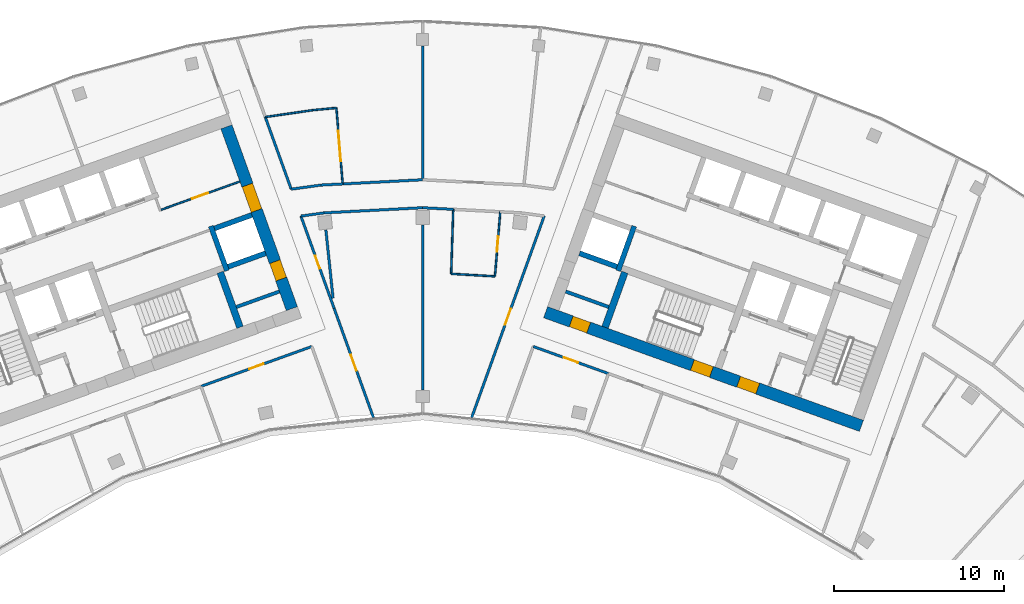
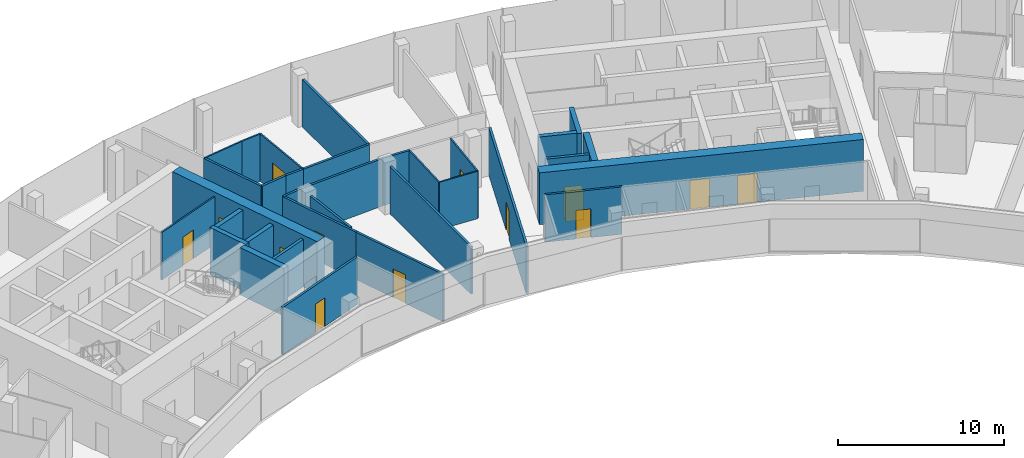
# One storey, part 14 of 18: 33 walls, 13 doors, 13 openings.
"""IFC4 building model written with IfcOpenShell, lengths in metres."""

import ifcopenshell
import ifcopenshell.guid

model = None  # the IFC model being written
_history = None  # IfcOwnerHistory: only IFC2X3 demands one
_inside = {}  # id of a spatial element -> (the spatial element, [elements in it])
_under = {}  # id of a project, library or spatial element -> (it, [spatial elements below it])
_declared = {}  # id of a project -> (the project, [libraries it declares])
_typed = {}  # id of a type object -> (the type object, [elements of that type])
_made_of = {}  # id of a material, layer set ... -> (it, [elements and type objects made of it])


def new_model(schema):
    """Start an empty IFC model of exactly this schema.

    Asked for "IFC4X3", IfcOpenShell would pick the latest addendum, in which some entities
    have other attributes; the version numbers below select the first issue.
    IFC2X3 requires an IfcOwnerHistory on every rooted entity: one is made here for all.
    """
    global model, _history
    if schema == "IFC4X3":
        model = ifcopenshell.file(schema_version=(4, 3, 0, 0))
    else:
        model = ifcopenshell.file(schema=schema)
    _inside.clear()
    _under.clear()
    _declared.clear()
    _typed.clear()
    _made_of.clear()
    _history = None
    if model.schema == "IFC2X3":
        org = make("IfcOrganization", Name="unknown")
        user = make(
            "IfcPersonAndOrganization",
            ThePerson=make("IfcPerson", FamilyName="unknown"),
            TheOrganization=org,
        )
        app = make(
            "IfcApplication",
            ApplicationDeveloper=org,
            Version="unknown",
            ApplicationFullName="unknown",
            ApplicationIdentifier="unknown",
        )
        _history = make(
            "IfcOwnerHistory",
            OwningUser=user,
            OwningApplication=app,
            ChangeAction="ADDED",
            CreationDate=0,
        )
    return model


def make(cls, **values):
    """One entity of the class cls with the attributes given. An attribute that is None is left unset."""
    return model.create_entity(
        cls, **{name: value for name, value in values.items() if value is not None}
    )


def rooted(cls, **values):
    """An entity with a GlobalId (a new one), such as an element, a storey or a relation."""
    return make(cls, GlobalId=ifcopenshell.guid.new(), OwnerHistory=_history, **values)


def si_unit(unit_type, name, prefix=None):
    """IfcSIUnit, for example si_unit("LENGTHUNIT", "METRE", prefix="MILLI")."""
    return make("IfcSIUnit", UnitType=unit_type, Prefix=prefix, Name=name)


def assignment(units):
    """IfcUnitAssignment: the units of a project."""
    return None if units is None else make("IfcUnitAssignment", Units=units)


def point(xyz):
    """IfcCartesianPoint."""
    return None if xyz is None else make("IfcCartesianPoint", Coordinates=xyz)


def direction(xyz):
    """IfcDirection."""
    return None if xyz is None else make("IfcDirection", DirectionRatios=xyz)


def frame(location, z_axis=None, x_axis=None):
    """IfcAxis2Placement3D, a coordinate frame: its origin and axes. An axis left out is left unset."""
    return make(
        "IfcAxis2Placement3D",
        Location=point(location),
        Axis=direction(z_axis),
        RefDirection=direction(x_axis),
    )


def frame_2d(location, x_axis=None):
    """IfcAxis2Placement2D, a coordinate frame in the plane: its origin and x axis."""
    return make(
        "IfcAxis2Placement2D", Location=point(location), RefDirection=direction(x_axis)
    )


def origin():
    """The frame at (0, 0, 0) with its axes left unset."""
    return frame((0.0, 0.0, 0.0))


def place(relative_to, where):
    """IfcLocalPlacement: puts the frame where relative to a parent placement (None: the world)."""
    return make(
        "IfcLocalPlacement", PlacementRelTo=relative_to, RelativePlacement=where
    )


def context(
    kind, dimensions, precision=None, world=None, true_north=None, identifier=None
):
    """IfcGeometricRepresentationContext, for example the 3D "Model" context."""
    return make(
        "IfcGeometricRepresentationContext",
        ContextIdentifier=identifier,
        ContextType=kind,
        CoordinateSpaceDimension=dimensions,
        Precision=precision,
        WorldCoordinateSystem=world,
        TrueNorth=true_north,
    )


def subcontext(parent, identifier, kind, view, scale=None):
    """IfcGeometricRepresentationSubContext, for example "Body" below "Model"."""
    return make(
        "IfcGeometricRepresentationSubContext",
        ContextIdentifier=identifier,
        ContextType=kind,
        ParentContext=parent,
        TargetScale=scale,
        TargetView=view,
    )


def project(units=None, contexts=None):
    """IfcProject with its units and contexts."""
    return rooted(
        "IfcProject",
        Name="project",
        RepresentationContexts=contexts,
        UnitsInContext=assignment(units),
    )


def spatial(cls, under=None, at=None, **own):
    """A site, building, storey or space (cls), placed at a placement, below another one or the project."""
    s = rooted(cls, ObjectPlacement=at, **own)
    if under is not None:
        _under.setdefault(under.id(), (under, []))[1].append(s)
    return s


def profile(cls, at=None, kind="AREA", **sizes):
    """A parametric profile (cls). Its sizes go by their IFC names, for example OverallWidth=200.0."""
    return make(cls, ProfileType=kind, Position=at, **sizes)


def rectangle(**sizes):
    """IfcRectangleProfileDef."""
    return profile("IfcRectangleProfileDef", **sizes)


def extrude(swept, where, along, depth):
    """IfcExtrudedAreaSolid: the profile swept, set in the frame where, extruded along a direction by depth."""
    return make(
        "IfcExtrudedAreaSolid",
        SweptArea=swept,
        Position=where,
        ExtrudedDirection=direction(along),
        Depth=depth,
    )


def shape(context_of_items, identifier, shape_type, items):
    """IfcShapeRepresentation: the items that make up one representation, for example the "Body"."""
    return make(
        "IfcShapeRepresentation",
        ContextOfItems=context_of_items,
        RepresentationIdentifier=identifier,
        RepresentationType=shape_type,
        Items=items,
    )


def material(Name=None, Category=None):
    """IfcMaterial."""
    return make("IfcMaterial", Name=Name, Category=Category)


def layer(
    of_material, thickness, ventilated=None, Name=None, Category=None, Priority=None
):
    """IfcMaterialLayer: one layer of a wall or slab, of a material (None: an air gap)."""
    return make(
        "IfcMaterialLayer",
        Material=of_material,
        LayerThickness=thickness,
        IsVentilated=ventilated,
        Name=Name,
        Category=Category,
        Priority=Priority,
    )


def layer_set(layers, Name=None):
    """IfcMaterialLayerSet."""
    return make("IfcMaterialLayerSet", MaterialLayers=layers, LayerSetName=Name)


def made_of(thing, what):
    """Note that an element or type object is made of a material, layer set ...; save() writes the relation."""
    if what is not None:
        _made_of.setdefault(what.id(), (what, []))[1].append(thing)
    return thing


def type_object(cls, material=None, **own):
    """A type object (cls), such as IfcWallType, which elements share."""
    return made_of(rooted(cls, **own), material)


def element(
    cls,
    number,
    at=None,
    inside=None,
    cuts=None,
    type_object=None,
    material=None,
    context=None,
    identifier="Body",
    shape_type=None,
    held_by="IfcProductDefinitionShape",
    body=None,
    shapes=None,
    **own,
):
    """One element of the class cls, such as IfcWall. Its Tag is "e" and its number.

    at: its placement. inside: the storey or other place that contains it. cuts: it is an
    opening in that element (IfcRelVoidsElement). A single representation is given by context,
    identifier, shape_type and body (its items); several are given by shapes. held_by: the class
    of the entity that holds the representations. save() writes the other relations.
    """
    e = rooted(cls, Tag="e%d" % number, ObjectPlacement=at, **own)
    if body is not None:
        shapes = [shape(context, identifier, shape_type, body)]
    if shapes is not None:
        e.Representation = make(held_by, Representations=shapes)
    if inside is not None:
        _inside.setdefault(inside.id(), (inside, []))[1].append(e)
    if cuts is not None:
        rooted(
            "IfcRelVoidsElement", RelatingBuildingElement=cuts, RelatedOpeningElement=e
        )
    if type_object is not None:
        _typed.setdefault(type_object.id(), (type_object, []))[1].append(e)
    return made_of(e, material)


def fill(opening, filler):
    """IfcRelFillsElement: the door or window that sits in an opening."""
    return rooted(
        "IfcRelFillsElement",
        RelatingOpeningElement=opening,
        RelatedBuildingElement=filler,
    )


def aggregate(whole, parts):
    """IfcRelAggregates: a whole, such as a stair, and the parts it consists of."""
    return rooted("IfcRelAggregates", RelatingObject=whole, RelatedObjects=parts)


def save(model, path):
    """Write the relations noted so far, then the file.

    IfcRelAggregates (storeys below a building ...), IfcRelContainedInSpatialStructure (elements
    in a storey), IfcRelDefinesByType, IfcRelAssociatesMaterial and IfcRelDeclares: one each for
    every whole, place, type object, material and project.
    """
    for whole, parts in _under.values():
        aggregate(whole, parts)
    for where, things in _inside.values():
        rooted(
            "IfcRelContainedInSpatialStructure",
            RelatedElements=things,
            RelatingStructure=where,
        )
    for kind, things in _typed.values():
        rooted("IfcRelDefinesByType", RelatedObjects=things, RelatingType=kind)
    for what, things in _made_of.values():
        rooted("IfcRelAssociatesMaterial", RelatedObjects=things, RelatingMaterial=what)
    for by, libraries in _declared.values():
        rooted("IfcRelDeclares", RelatingContext=by, RelatedDefinitions=libraries)
    model.write(path)


model = new_model("IFC4")

# Units and contexts
model_context = context("Model", 3, precision=1e-05, world=origin(), true_north=direction((0.0, 1.0)))
body_context = subcontext(model_context, "Body", "Model", "MODEL_VIEW")
ifc_project = project(units=[si_unit("LENGTHUNIT", "METRE"), si_unit("AREAUNIT", "SQUARE_METRE"), si_unit("VOLUMEUNIT", "CUBIC_METRE"), si_unit("PLANEANGLEUNIT", "RADIAN"), si_unit("MASSUNIT", "GRAM", prefix="KILO")], contexts=[model_context])

# Site, building, storey
site_placement = place(None, origin())
site = spatial("IfcSite", under=ifc_project, at=site_placement, CompositionType="ELEMENT")
building_placement = place(site_placement, origin())
building = spatial("IfcBuilding", under=site, at=building_placement, Name="Stone Belt Terrace Tower", CompositionType="ELEMENT")
storey_placement = place(building_placement, frame((0.0, 0.0, 299.800048828125)))
storey = spatial("IfcBuildingStorey", under=building, at=storey_placement, Name="L73", CompositionType="ELEMENT", Elevation=299.800048828125)

# Wall, opening, door
ifc_material_1 = material(Name="Plasterboard partition")
ifc_layer_1 = layer(ifc_material_1, 0.10009765625)
ifc_layer_set_1 = layer_set([ifc_layer_1], Name="Core partition 100")
wall_type_1 = type_object("IfcWallType", Name="Core partition 100", PredefinedType="PARTITIONING", material=ifc_layer_set_1)
wall_1_placement = place(storey_placement, frame((-15.43798828125, 55.447998046875, 0.0), z_axis=(0.0, 0.0, 1.0), x_axis=(0.940914445113, 0.338644366522, 0.0)))
wall_1 = element("IfcWall", 1, at=wall_1_placement, inside=storey, type_object=wall_type_1, Name="Core A wall", PredefinedType="PARTITIONING", context=body_context, shape_type="SweptSolid", body=[
    extrude(rectangle(XDim=4.949951171875, YDim=0.10009765625, at=frame_2d((2.47509765625, 0.0))), origin(), (0.0, 0.0, 1.0), 3.47998046875),
])
opening_1_placement = place(wall_1_placement, frame((1.949951171875, 0.0, 0.0)))
opening_1 = element("IfcOpeningElement", 2, at=opening_1_placement, cuts=wall_1, Name="Opening L73-C01", PredefinedType="OPENING", context=body_context, shape_type="SweptSolid", body=[
    extrude(rectangle(XDim=1.0, YDim=2.10009765625, at=frame_2d((0.5, 1.050048828125))), frame((0.0, 0.06005859375, 0.0), z_axis=(0.0, -1.0, 0.0), x_axis=(1.0, 0.0, 0.0)), (0.0, 0.0, 1.0), 0.1201171875),
])
ifc_material_2 = material(Name="Timber door leaf", Category="wood")
door_type_1 = type_object("IfcDoorType", Name="Core room door 1000", OperationType="SINGLE_SWING_LEFT", PredefinedType="DOOR", material=ifc_material_2)
door_1_placement = place(opening_1_placement, origin())
door_1 = element("IfcDoor", 3, at=door_1_placement, inside=storey, type_object=door_type_1, Name="Door to Plant room core A", OperationType="SINGLE_SWING_LEFT", OverallHeight=2.10009765625, OverallWidth=1.0, PredefinedType="DOOR", context=body_context, shape_type="SweptSolid", body=[
    extrude(rectangle(XDim=1.0, YDim=2.10009765625, at=frame_2d((0.5, 1.050048828125))), frame((0.0, 0.02490234375, 0.0), z_axis=(0.0, -1.0, 0.0), x_axis=(1.0, 0.0, 0.0)), (0.0, 0.0, 1.0), 0.050048828125),
])
fill(opening_1, door_1)

# Wall, openings, doors
ifc_material_3 = material(Name="Concrete B60", Category="concrete")
ifc_layer_2 = layer(ifc_material_3, 0.699951171875)
ifc_layer_set_2 = layer_set([ifc_layer_2], Name="Core wall 700 B60")
wall_type_2 = type_object("IfcWallType", Name="Core wall 700 B60", PredefinedType="SHEAR", material=ifc_layer_set_2)
wall_2_placement = place(storey_placement, frame((-7.70849609375, 49.621337890625, 0.0), z_axis=(0.0, 0.0, 1.0), x_axis=(-0.338606471282, 0.940928083121, 0.0)))
wall_2 = element("IfcWall", 4, at=wall_2_placement, inside=storey, type_object=wall_type_2, Name="Core A wall end_b L73", PredefinedType="SHEAR", context=body_context, shape_type="SweptSolid", body=[
    extrude(rectangle(XDim=11.39990234375, YDim=0.699951171875, at=frame_2d((5.699951171875, 0.0))), origin(), (0.0, 0.0, 1.0), 3.800048828125),
])
opening_2_placement = place(wall_2_placement, frame((6.14990234375, 0.0, 0.0)))
opening_2 = element("IfcOpeningElement", 5, at=opening_2_placement, cuts=wall_2, Name="Opening L73-C04", PredefinedType="OPENING", context=body_context, shape_type="SweptSolid", body=[
    extrude(rectangle(XDim=1.60009765625, YDim=2.10009765625, at=frame_2d((0.800048828125, 1.050048828125))), frame((0.0, 0.35986328125, 0.0), z_axis=(0.0, -1.0, 0.0), x_axis=(1.0, 0.0, 0.0)), (0.0, 0.0, 1.0), 0.719970703125),
])
opening_3_placement = place(wall_2_placement, frame((1.85009765625, 0.0, 0.0)))
opening_3 = element("IfcOpeningElement", 6, at=opening_3_placement, cuts=wall_2, Name="Opening L73-C10", PredefinedType="OPENING", context=body_context, shape_type="SweptSolid", body=[
    extrude(rectangle(XDim=1.10009765625, YDim=2.10009765625, at=frame_2d((0.550048828125, 1.050048828125))), frame((0.0, 0.35986328125, 0.0), z_axis=(0.0, -1.0, 0.0), x_axis=(1.0, 0.0, 0.0)), (0.0, 0.0, 1.0), 0.719970703125),
])
door_type_2 = type_object("IfcDoorType", Name="Core room door 1100", OperationType="SINGLE_SWING_LEFT", PredefinedType="DOOR", material=ifc_material_2)
door_2_placement = place(opening_3_placement, origin())
door_2 = element("IfcDoor", 7, at=door_2_placement, inside=storey, type_object=door_type_2, Name="Door to Accessible WC core A", OperationType="SINGLE_SWING_RIGHT", OverallHeight=2.10009765625, OverallWidth=1.10009765625, PredefinedType="DOOR", context=body_context, shape_type="SweptSolid", body=[
    extrude(rectangle(XDim=1.10009765625, YDim=2.10009765625, at=frame_2d((0.550048828125, 1.050048828125))), frame((0.0, 0.330078125, 0.0), z_axis=(0.0, -1.0, 0.0), x_axis=(1.0, 0.0, 0.0)), (0.0, 0.0, 1.0), 0.659912109375),
])
fill(opening_3, door_2)
ifc_material_4 = material(Name="Glazed aluminium door leaf", Category="aluminium")
door_type_3 = type_object("IfcDoorType", Name="Lift lobby entrance door 1600", OperationType="DOUBLE_DOOR_SINGLE_SWING", PredefinedType="DOOR", material=ifc_material_4)
door_3_placement = place(opening_2_placement, origin())
door_3 = element("IfcDoor", 8, at=door_3_placement, inside=storey, type_object=door_type_3, Name="Lift lobby entrance door core A", OperationType="DOUBLE_DOOR_SINGLE_SWING", OverallHeight=2.10009765625, OverallWidth=1.60009765625, PredefinedType="DOOR", context=body_context, shape_type="SweptSolid", body=[
    extrude(rectangle(XDim=1.60009765625, YDim=2.10009765625, at=frame_2d((0.800048828125, 1.050048828125))), frame((0.0, 0.330078125, 0.0), z_axis=(0.0, -1.0, 0.0), x_axis=(1.0, 0.0, 0.0)), (0.0, 0.0, 1.0), 0.659912109375),
])
fill(opening_2, door_3)

wall_3_placement = place(storey_placement, frame((7.260498046875, 49.410400390625, 0.0), z_axis=(0.0, 0.0, 1.0), x_axis=(0.940925130461, -0.338614676094, 0.0)))
wall_3 = element("IfcWall", 9, at=wall_3_placement, inside=storey, type_object=wall_type_2, Name="Core B wall concave L73", PredefinedType="SHEAR", context=body_context, shape_type="SweptSolid", body=[
    extrude(rectangle(XDim=19.800048828125, YDim=0.699951171875, at=frame_2d((9.89990234375, 0.0))), origin(), (0.0, 0.0, 1.0), 3.800048828125),
])
opening_4_placement = place(wall_3_placement, frame((12.10009765625, 0.0, 0.0)))
opening_4 = element("IfcOpeningElement", 10, at=opening_4_placement, cuts=wall_3, Name="Opening L73-C18", PredefinedType="OPENING", context=body_context, shape_type="SweptSolid", body=[
    extrude(rectangle(XDim=1.199951171875, YDim=2.10009765625, at=frame_2d((0.60009765625, 1.050048828125))), frame((0.0, 0.35986328125, 0.0), z_axis=(0.0, -1.0, 0.0), x_axis=(1.0, 0.0, 0.0)), (0.0, 0.0, 1.0), 0.719970703125),
])
opening_5_placement = place(wall_3_placement, frame((9.2001953125, 0.0, 0.0)))
opening_5 = element("IfcOpeningElement", 11, at=opening_5_placement, cuts=wall_3, Name="Opening L73-C20", PredefinedType="OPENING", context=body_context, shape_type="SweptSolid", body=[
    extrude(rectangle(XDim=1.199951171875, YDim=2.10009765625, at=frame_2d((0.60009765625, 1.050048828125))), frame((0.0, 0.35986328125, 0.0), z_axis=(0.0, -1.0, 0.0), x_axis=(1.0, 0.0, 0.0)), (0.0, 0.0, 1.0), 0.719970703125),
])
opening_6_placement = place(wall_3_placement, frame((1.60009765625, 0.0, 0.0)))
opening_6 = element("IfcOpeningElement", 12, at=opening_6_placement, cuts=wall_3, Name="Opening L73-C22", PredefinedType="OPENING", context=body_context, shape_type="SweptSolid", body=[
    extrude(rectangle(XDim=1.10009765625, YDim=2.10009765625, at=frame_2d((0.550048828125, 1.050048828125))), frame((0.0, 0.35986328125, 0.0), z_axis=(0.0, -1.0, 0.0), x_axis=(1.0, 0.0, 0.0)), (0.0, 0.0, 1.0), 0.719970703125),
])
door_4_placement = place(opening_6_placement, origin())
door_4 = element("IfcDoor", 13, at=door_4_placement, inside=storey, type_object=door_type_2, Name="Door to Pipe riser core B", OperationType="SINGLE_SWING_RIGHT", OverallHeight=2.10009765625, OverallWidth=1.10009765625, PredefinedType="DOOR", context=body_context, shape_type="SweptSolid", body=[
    extrude(rectangle(XDim=1.10009765625, YDim=2.10009765625, at=frame_2d((0.550048828125, 1.050048828125))), frame((0.0, 0.330078125, 0.0), z_axis=(0.0, -1.0, 0.0), x_axis=(1.0, 0.0, 0.0)), (0.0, 0.0, 1.0), 0.659912109375),
])
fill(opening_6, door_4)
ifc_material_5 = material(Name="Steel door leaf", Category="steel")
door_type_4 = type_object("IfcDoorType", Name="Fire-fighting lobby door 1200", OperationType="SINGLE_SWING_LEFT", PredefinedType="DOOR", material=ifc_material_5)
door_5_placement = place(opening_4_placement, origin())
door_5 = element("IfcDoor", 14, at=door_5_placement, inside=storey, type_object=door_type_4, Name="Fire-fighting lobby door core B", OperationType="SINGLE_SWING_RIGHT", OverallHeight=2.10009765625, OverallWidth=1.199951171875, PredefinedType="DOOR", context=body_context, shape_type="SweptSolid", body=[
    extrude(rectangle(XDim=1.199951171875, YDim=2.10009765625, at=frame_2d((0.60009765625, 1.050048828125))), frame((0.0, 0.330078125, 0.0), z_axis=(0.0, -1.0, 0.0), x_axis=(1.0, 0.0, 0.0)), (0.0, 0.0, 1.0), 0.659912109375),
])
fill(opening_4, door_5)
door_type_5 = type_object("IfcDoorType", Name="Stair door 1200", OperationType="SINGLE_SWING_LEFT", PredefinedType="DOOR", material=ifc_material_5)
door_6_placement = place(opening_5_placement, origin())
door_6 = element("IfcDoor", 15, at=door_6_placement, inside=storey, type_object=door_type_5, Name="Stair 2 exit door core B", OperationType="SINGLE_SWING_LEFT", OverallHeight=2.10009765625, OverallWidth=1.199951171875, PredefinedType="DOOR", context=body_context, shape_type="SweptSolid", body=[
    extrude(rectangle(XDim=1.199951171875, YDim=2.10009765625, at=frame_2d((0.60009765625, 1.050048828125))), frame((0.0, 0.330078125, 0.0), z_axis=(0.0, -1.0, 0.0), x_axis=(1.0, 0.0, 0.0)), (0.0, 0.0, 1.0), 0.659912109375),
])
fill(opening_5, door_6)

# Walls
ifc_material_6 = material(Name="Concrete B80", Category="concrete")
ifc_layer_3 = layer(ifc_material_6, 0.300048828125)
ifc_layer_set_3 = layer_set([ifc_layer_3], Name="Lift shaft wall 300")
wall_type_3 = type_object("IfcWallType", Name="Lift shaft wall 300", PredefinedType="SHEAR", material=ifc_layer_set_3)
wall_4_placement = place(storey_placement, frame((-11.541259765625, 51.85546875, 0.0), z_axis=(0.0, 0.0, 1.0), x_axis=(-0.338660803216, 0.940908529223, 0.0)))
element("IfcWall", 16, at=wall_4_placement, inside=storey, type_object=wall_type_3, Name="Core A wall", PredefinedType="SHEAR", context=body_context, shape_type="SweptSolid", body=[
    extrude(rectangle(XDim=2.800048828125, YDim=0.300048828125, at=frame_2d((1.39990234375, 0.0))), origin(), (0.0, 0.0, 1.0), 3.47998046875),
])
wall_5_placement = place(storey_placement, frame((-11.468017578125, 52.09423828125, 0.0), z_axis=(0.0, 0.0, 1.0), x_axis=(0.940904627055, 0.338671644496, 0.0)))
element("IfcWall", 17, at=wall_5_placement, inside=storey, type_object=wall_type_3, Name="Core A wall", PredefinedType="SHEAR", context=body_context, shape_type="SweptSolid", body=[
    extrude(rectangle(XDim=2.35009765625, YDim=0.300048828125, at=frame_2d((1.175048828125, 0.0))), origin(), (0.0, 0.0, 1.0), 3.47998046875),
])
wall_6_placement = place(storey_placement, frame((-12.280517578125, 54.3525390625, 0.0), z_axis=(0.0, 0.0, 1.0), x_axis=(0.940925816745, 0.338612769078, 0.0)))
element("IfcWall", 18, at=wall_6_placement, inside=storey, type_object=wall_type_3, Name="Core A wall", PredefinedType="SHEAR", context=body_context, shape_type="SweptSolid", body=[
    extrude(rectangle(XDim=2.349853515625, YDim=0.300048828125, at=frame_2d((1.1748046875, 0.0))), origin(), (0.0, 0.0, 1.0), 3.47998046875),
])
wall_7_placement = place(storey_placement, frame((11.541259765625, 51.85546875, 0.0), z_axis=(0.0, 0.0, 1.0), x_axis=(0.338660803216, 0.940908529223, 0.0)))
element("IfcWall", 19, at=wall_7_placement, inside=storey, type_object=wall_type_3, Name="Core B wall", PredefinedType="SHEAR", context=body_context, shape_type="SweptSolid", body=[
    extrude(rectangle(XDim=2.800048828125, YDim=0.300048828125, at=frame_2d((1.39990234375, 0.0))), origin(), (0.0, 0.0, 1.0), 3.47998046875),
])
wall_8_placement = place(storey_placement, frame((11.468017578125, 52.09423828125, 0.0), z_axis=(0.0, 0.0, 1.0), x_axis=(-0.940904627055, 0.338671644496, 0.0)))
element("IfcWall", 20, at=wall_8_placement, inside=storey, type_object=wall_type_3, Name="Core B wall", PredefinedType="SHEAR", context=body_context, shape_type="SweptSolid", body=[
    extrude(rectangle(XDim=2.35009765625, YDim=0.300048828125, at=frame_2d((1.175048828125, 0.0))), origin(), (0.0, 0.0, 1.0), 3.47998046875),
])
ifc_material_7 = material(Name="Gypsum board partition")
ifc_layer_4 = layer(ifc_material_7, 0.10009765625)
ifc_layer_set_4 = layer_set([ifc_layer_4], Name="PARTITION 100")
wall_type_4 = type_object("IfcWallType", Name="PARTITION 100", PredefinedType="PARTITIONING", material=ifc_layer_set_4)
wall_9_placement = place(storey_placement, frame((1.81103515625, 55.47998046875, 0.0), z_axis=(0.0, 0.0, 1.0), x_axis=(-0.032586497073, -0.999468919081, 0.0)))
element("IfcWall", 21, at=wall_9_placement, inside=storey, type_object=wall_type_4, Name="L73/wall/i099", PredefinedType="PARTITIONING", context=body_context, shape_type="SweptSolid", body=[
    extrude(rectangle(XDim=3.805908203125, YDim=0.10009765625, at=frame_2d((1.90283203125, 0.0))), origin(), (0.0, 0.0, 1.0), 3.47998046875),
])
wall_10_placement = place(storey_placement, frame((1.68701171875, 51.676025390625, 0.0), z_axis=(0.0, 0.0, 1.0), x_axis=(0.998343277732, -0.057538680973, 0.0)))
element("IfcWall", 22, at=wall_10_placement, inside=storey, type_object=wall_type_4, Name="L73/wall/i100", PredefinedType="PARTITIONING", context=body_context, shape_type="SweptSolid", body=[
    extrude(rectangle(XDim=2.58837890625, YDim=0.10009765625, at=frame_2d((1.294189453125, 0.0))), origin(), (0.0, 0.0, 1.0), 3.47998046875),
])

# Wall, opening, door
wall_11_placement = place(storey_placement, frame((4.27099609375, 51.527099609375, 0.0), z_axis=(0.0, 0.0, 1.0), x_axis=(0.082426767344, 0.996597124231, 0.0)))
wall_11 = element("IfcWall", 23, at=wall_11_placement, inside=storey, type_object=wall_type_4, Name="L73/wall/i101", PredefinedType="PARTITIONING", context=body_context, shape_type="SweptSolid", body=[
    extrude(rectangle(XDim=3.82080078125, YDim=0.10009765625, at=frame_2d((1.910400390625, 0.0))), origin(), (0.0, 0.0, 1.0), 3.47998046875),
])
opening_7_placement = place(wall_11_placement, frame((1.46044921875, 0.0, 0.0)))
opening_7 = element("IfcOpeningElement", 24, at=opening_7_placement, cuts=wall_11, Name="Opening D-E5-30", PredefinedType="OPENING", context=body_context, shape_type="SweptSolid", body=[
    extrude(rectangle(XDim=0.89990234375, YDim=2.10009765625, at=frame_2d((0.449951171875, 1.050048828125))), frame((0.0, 0.06005859375, 0.0), z_axis=(0.0, -1.0, 0.0), x_axis=(1.0, 0.0, 0.0)), (0.0, 0.0, 1.0), 0.1201171875),
])
door_type_6 = type_object("IfcDoorType", Name="OFFICE DOOR 900 X 2100", OperationType="NOTDEFINED", PredefinedType="DOOR", material=ifc_material_2)
door_7_placement = place(opening_7_placement, origin())
door_7 = element("IfcDoor", 25, at=door_7_placement, inside=storey, type_object=door_type_6, Name="L73/door/i30", OperationType="SINGLE_SWING_RIGHT", OverallHeight=2.10009765625, OverallWidth=0.89990234375, PredefinedType="DOOR", context=body_context, shape_type="SweptSolid", body=[
    extrude(rectangle(XDim=0.89990234375, YDim=2.10009765625, at=frame_2d((0.449951171875, 1.050048828125))), frame((0.0, 0.02490234375, 0.0), z_axis=(0.0, -1.0, 0.0), x_axis=(1.0, 0.0, 0.0)), (0.0, 0.0, 1.0), 0.050048828125),
])
fill(opening_7, door_7)

wall_12_placement = place(storey_placement, frame((-4.7119140625, 56.97802734375, 0.0), z_axis=(0.0, 0.0, 1.0), x_axis=(-0.082461797713, 0.996594226312, 0.0)))
wall_12 = element("IfcWall", 26, at=wall_12_placement, inside=storey, type_object=wall_type_4, Name="L73/wall/i102", PredefinedType="PARTITIONING", context=body_context, shape_type="SweptSolid", body=[
    extrude(rectangle(XDim=4.500244140625, YDim=0.10009765625, at=frame_2d((2.25, 0.0))), origin(), (0.0, 0.0, 1.0), 3.47998046875),
])
opening_8_placement = place(wall_12_placement, frame((1.35009765625, 0.0, 0.0)))
opening_8 = element("IfcOpeningElement", 27, at=opening_8_placement, cuts=wall_12, Name="Opening D-E5-32", PredefinedType="OPENING", context=body_context, shape_type="SweptSolid", body=[
    extrude(rectangle(XDim=1.800048828125, YDim=2.10009765625, at=frame_2d((0.89990234375, 1.050048828125))), frame((0.0, 0.06005859375, 0.0), z_axis=(0.0, -1.0, 0.0), x_axis=(1.0, 0.0, 0.0)), (0.0, 0.0, 1.0), 0.1201171875),
])
door_type_7 = type_object("IfcDoorType", Name="DOUBLE DOOR 1800 X 2100", OperationType="DOUBLE_DOOR_SINGLE_SWING", PredefinedType="DOOR", material=ifc_material_2)
door_8_placement = place(opening_8_placement, origin())
door_8 = element("IfcDoor", 28, at=door_8_placement, inside=storey, type_object=door_type_7, Name="L73/door/i32", OperationType="DOUBLE_DOOR_SINGLE_SWING", OverallHeight=2.10009765625, OverallWidth=1.800048828125, PredefinedType="DOOR", context=body_context, shape_type="SweptSolid", body=[
    extrude(rectangle(XDim=1.800048828125, YDim=2.10009765625, at=frame_2d((0.89990234375, 1.050048828125))), frame((0.0, 0.02490234375, 0.0), z_axis=(0.0, -1.0, 0.0), x_axis=(1.0, 0.0, 0.0)), (0.0, 0.0, 1.0), 0.050048828125),
])
fill(opening_8, door_8)

# Walls
wall_13_placement = place(storey_placement, frame((-5.0830078125, 61.462890625, 0.0), z_axis=(0.0, 0.0, 1.0), x_axis=(-0.995630602558, -0.093379351305, 0.0)))
element("IfcWall", 29, at=wall_13_placement, inside=storey, type_object=wall_type_4, Name="L73/wall/i103", PredefinedType="PARTITIONING", context=body_context, shape_type="SweptSolid", body=[
    extrude(rectangle(XDim=1.3701171875, YDim=0.10009765625, at=frame_2d((0.68505859375, 0.0))), origin(), (0.0, 0.0, 1.0), 3.47998046875),
])
wall_14_placement = place(storey_placement, frame((-6.447021484375, 61.3349609375, 0.0), z_axis=(0.0, 0.0, 1.0), x_axis=(-0.989735062647, -0.142914330167, 0.0)))
element("IfcWall", 30, at=wall_14_placement, inside=storey, type_object=wall_type_4, Name="L73/wall/i104", PredefinedType="PARTITIONING", context=body_context, shape_type="SweptSolid", body=[
    extrude(rectangle(XDim=2.861328125, YDim=0.10009765625, at=frame_2d((1.4306640625, 0.0))), origin(), (0.0, 0.0, 1.0), 3.47998046875),
])

# Wall, opening, door
ifc_layer_5 = layer(ifc_material_7, 0.14990234375)
ifc_layer_set_5 = layer_set([ifc_layer_5], Name="PARTITION 150 EI 60")
wall_type_5 = type_object("IfcWallType", Name="PARTITION 150 EI 60", PredefinedType="PARTITIONING", material=ifc_layer_set_5)
wall_15_placement = place(storey_placement, frame((-7.177978515625, 55.089111328125, 0.0), z_axis=(0.0, 0.0, 1.0), x_axis=(0.338629980572, -0.940919622634, 0.0)))
wall_15 = element("IfcWall", 31, at=wall_15_placement, inside=storey, type_object=wall_type_5, Name="L73/wall/i011", PredefinedType="PARTITIONING", context=body_context, shape_type="SweptSolid", body=[
    extrude(rectangle(XDim=5.796630859375, YDim=0.14990234375, at=frame_2d((2.8984375, 0.0))), origin(), (0.0, 0.0, 1.0), 3.47998046875),
])
opening_9_placement = place(wall_15_placement, frame((2.498291015625, 0.0, 0.0)))
opening_9 = element("IfcOpeningElement", 32, at=opening_9_placement, cuts=wall_15, Name="Opening D-E5-27", PredefinedType="OPENING", context=body_context, shape_type="SweptSolid", body=[
    extrude(rectangle(XDim=0.800048828125, YDim=2.10009765625, at=frame_2d((0.39990234375, 1.050048828125))), frame((0.0, 0.0849609375, 0.0), z_axis=(0.0, -1.0, 0.0), x_axis=(1.0, 0.0, 0.0)), (0.0, 0.0, 1.0), 0.169921875),
])
door_type_8 = type_object("IfcDoorType", Name="STORE DOOR 800 X 2100", OperationType="NOTDEFINED", PredefinedType="DOOR", material=ifc_material_2)
door_9_placement = place(opening_9_placement, origin())
door_9 = element("IfcDoor", 33, at=door_9_placement, inside=storey, type_object=door_type_8, Name="L73/door/i27", OperationType="SINGLE_SWING_LEFT", OverallHeight=2.10009765625, OverallWidth=0.800048828125, PredefinedType="DOOR", context=body_context, shape_type="SweptSolid", body=[
    extrude(rectangle(XDim=0.800048828125, YDim=2.10009765625, at=frame_2d((0.39990234375, 1.050048828125))), frame((0.0, 0.02490234375, 0.0), z_axis=(0.0, -1.0, 0.0), x_axis=(1.0, 0.0, 0.0)), (0.0, 0.0, 1.0), 0.050048828125),
])
fill(opening_9, door_9)

wall_16_placement = place(storey_placement, frame((-5.22509765625, 49.6630859375, 0.0), z_axis=(0.0, 0.0, 1.0), x_axis=(0.338558474785, -0.940945353966, 0.0)))
wall_16 = element("IfcWall", 34, at=wall_16_placement, inside=storey, type_object=wall_type_5, Name="L73/wall/i012", PredefinedType="PARTITIONING", context=body_context, shape_type="SweptSolid", body=[
    extrude(rectangle(XDim=6.873779296875, YDim=0.14990234375, at=frame_2d((3.43701171875, 0.0))), origin(), (0.0, 0.0, 1.0), 3.47998046875),
])
opening_10_placement = place(wall_16_placement, frame((2.936767578125, 0.0, 0.0)))
opening_10 = element("IfcOpeningElement", 35, at=opening_10_placement, cuts=wall_16, Name="Opening D-E5-28", PredefinedType="OPENING", context=body_context, shape_type="SweptSolid", body=[
    extrude(rectangle(XDim=1.0, YDim=2.10009765625, at=frame_2d((0.5, 1.050048828125))), frame((0.0, 0.0849609375, 0.0), z_axis=(0.0, -1.0, 0.0), x_axis=(1.0, 0.0, 0.0)), (0.0, 0.0, 1.0), 0.169921875),
])
ifc_material_8 = material(Name="Timber fire door leaf", Category="wood")
door_type_9 = type_object("IfcDoorType", Name="TENANCY ENTRANCE DOOR 1000 X 2100", OperationType="NOTDEFINED", PredefinedType="DOOR", material=ifc_material_8)
door_10_placement = place(opening_10_placement, origin())
door_10 = element("IfcDoor", 36, at=door_10_placement, inside=storey, type_object=door_type_9, Name="L73/door/i28", OperationType="SINGLE_SWING_RIGHT", OverallHeight=2.10009765625, OverallWidth=1.0, PredefinedType="DOOR", context=body_context, shape_type="SweptSolid", body=[
    extrude(rectangle(XDim=1.0, YDim=2.10009765625, at=frame_2d((0.5, 1.050048828125))), frame((0.0, 0.02490234375, 0.0), z_axis=(0.0, -1.0, 0.0), x_axis=(1.0, 0.0, 0.0)), (0.0, 0.0, 1.0), 0.050048828125),
])
fill(opening_10, door_10)

# Wall
wall_17_placement = place(storey_placement, frame((-9.281005859375, 60.931884765625, 0.0), z_axis=(0.0, 0.0, 1.0), x_axis=(0.338616542034, -0.940924458956, 0.0)))
element("IfcWall", 37, at=wall_17_placement, inside=storey, type_object=wall_type_5, Name="L73/wall/i014", PredefinedType="PARTITIONING", context=body_context, shape_type="SweptSolid", body=[
    extrude(rectangle(XDim=4.535888671875, YDim=0.14990234375, at=frame_2d((2.26806640625, 0.0))), origin(), (0.0, 0.0, 1.0), 3.47998046875),
])

# Wall, opening, door
wall_18_placement = place(storey_placement, frame((-6.532958984375, 47.387939453125, 0.0), z_axis=(0.0, 0.0, 1.0), x_axis=(-0.940934873565, -0.338587601233, 0.0)))
wall_18 = element("IfcWall", 38, at=wall_18_placement, inside=storey, type_object=wall_type_5, Name="L73/wall/i018", PredefinedType="PARTITIONING", context=body_context, shape_type="SweptSolid", body=[
    extrude(rectangle(XDim=6.949462890625, YDim=0.14990234375, at=frame_2d((3.474609375, 0.0))), origin(), (0.0, 0.0, 1.0), 3.47998046875),
])
opening_11_placement = place(wall_18_placement, frame((3.024658203125, 0.0, 0.0)))
opening_11 = element("IfcOpeningElement", 39, at=opening_11_placement, cuts=wall_18, Name="Opening D-E5-04", PredefinedType="OPENING", context=body_context, shape_type="SweptSolid", body=[
    extrude(rectangle(XDim=0.89990234375, YDim=2.10009765625, at=frame_2d((0.449951171875, 1.050048828125))), frame((0.0, 0.0849609375, 0.0), z_axis=(0.0, -1.0, 0.0), x_axis=(1.0, 0.0, 0.0)), (0.0, 0.0, 1.0), 0.169921875),
])
door_11_placement = place(opening_11_placement, origin())
door_11 = element("IfcDoor", 40, at=door_11_placement, inside=storey, type_object=door_type_6, Name="L73/door/i04", OperationType="SINGLE_SWING_RIGHT", OverallHeight=2.10009765625, OverallWidth=0.89990234375, PredefinedType="DOOR", context=body_context, shape_type="SweptSolid", body=[
    extrude(rectangle(XDim=0.89990234375, YDim=2.10009765625, at=frame_2d((0.449951171875, 1.050048828125))), frame((0.0, 0.02490234375, 0.0), z_axis=(0.0, -1.0, 0.0), x_axis=(1.0, 0.0, 0.0)), (0.0, 0.0, 1.0), 0.050048828125),
])
fill(opening_11, door_11)

wall_19_placement = place(storey_placement, frame((2.89794921875, 43.1953125, 0.0), z_axis=(0.0, 0.0, 1.0), x_axis=(0.338597725617, 0.940931230328, 0.0)))
wall_19 = element("IfcWall", 41, at=wall_19_placement, inside=storey, type_object=wall_type_5, Name="L73/wall/i025", PredefinedType="PARTITIONING", context=body_context, shape_type="SweptSolid", body=[
    extrude(rectangle(XDim=12.640380859375, YDim=0.14990234375, at=frame_2d((6.3203125, 0.0))), origin(), (0.0, 0.0, 1.0), 3.47998046875),
])
opening_12_placement = place(wall_19_placement, frame((5.820068359375, 0.0, 0.0)))
opening_12 = element("IfcOpeningElement", 42, at=opening_12_placement, cuts=wall_19, Name="Opening D-E5-29", PredefinedType="OPENING", context=body_context, shape_type="SweptSolid", body=[
    extrude(rectangle(XDim=1.0, YDim=2.10009765625, at=frame_2d((0.5, 1.050048828125))), frame((0.0, 0.0849609375, 0.0), z_axis=(0.0, -1.0, 0.0), x_axis=(1.0, 0.0, 0.0)), (0.0, 0.0, 1.0), 0.169921875),
])
door_12_placement = place(opening_12_placement, origin())
door_12 = element("IfcDoor", 43, at=door_12_placement, inside=storey, type_object=door_type_9, Name="L73/door/i29", OperationType="SINGLE_SWING_LEFT", OverallHeight=2.10009765625, OverallWidth=1.0, PredefinedType="DOOR", context=body_context, shape_type="SweptSolid", body=[
    extrude(rectangle(XDim=1.0, YDim=2.10009765625, at=frame_2d((0.5, 1.050048828125))), frame((0.0, 0.02490234375, 0.0), z_axis=(0.0, -1.0, 0.0), x_axis=(1.0, 0.0, 0.0)), (0.0, 0.0, 1.0), 0.050048828125),
])
fill(opening_12, door_12)

wall_20_placement = place(storey_placement, frame((10.97607421875, 45.7890625, 0.0), z_axis=(0.0, 0.0, 1.0), x_axis=(-0.94093090438, 0.338598631396, 0.0)))
wall_20 = element("IfcWall", 44, at=wall_20_placement, inside=storey, type_object=wall_type_5, Name="L73/wall/i033", PredefinedType="PARTITIONING", context=body_context, shape_type="SweptSolid", body=[
    extrude(rectangle(XDim=4.721923828125, YDim=0.14990234375, at=frame_2d((2.36083984375, 0.0))), origin(), (0.0, 0.0, 1.0), 3.47998046875),
])
opening_13_placement = place(wall_20_placement, frame((1.910888671875, 0.0, 0.0)))
opening_13 = element("IfcOpeningElement", 45, at=opening_13_placement, cuts=wall_20, Name="Opening D-E5-07", PredefinedType="OPENING", context=body_context, shape_type="SweptSolid", body=[
    extrude(rectangle(XDim=0.89990234375, YDim=2.10009765625, at=frame_2d((0.449951171875, 1.050048828125))), frame((0.0, 0.0849609375, 0.0), z_axis=(0.0, -1.0, 0.0), x_axis=(1.0, 0.0, 0.0)), (0.0, 0.0, 1.0), 0.169921875),
])
door_13_placement = place(opening_13_placement, origin())
door_13 = element("IfcDoor", 46, at=door_13_placement, inside=storey, type_object=door_type_6, Name="L73/door/i07", OperationType="SINGLE_SWING_RIGHT", OverallHeight=2.10009765625, OverallWidth=0.89990234375, PredefinedType="DOOR", context=body_context, shape_type="SweptSolid", body=[
    extrude(rectangle(XDim=0.89990234375, YDim=2.10009765625, at=frame_2d((0.449951171875, 1.050048828125))), frame((0.0, 0.02490234375, 0.0), z_axis=(0.0, -1.0, 0.0), x_axis=(1.0, 0.0, 0.0)), (0.0, 0.0, 1.0), 0.050048828125),
])
fill(opening_13, door_13)

# Walls
wall_21_placement = place(storey_placement, frame((-5.80908203125, 55.27099609375, 0.0), z_axis=(0.0, 0.0, 1.0), x_axis=(-0.990675556397, -0.136242217972, 0.0)))
element("IfcWall", 47, at=wall_21_placement, inside=storey, type_object=wall_type_5, Name="L73/wall/i085", PredefinedType="PARTITIONING", context=body_context, shape_type="SweptSolid", body=[
    extrude(rectangle(XDim=1.3798828125, YDim=0.14990234375, at=frame_2d((0.68994140625, 0.0))), origin(), (0.0, 0.0, 1.0), 3.47998046875),
])
wall_22_placement = place(storey_placement, frame((0.0, 55.574951171875, 0.0), z_axis=(0.0, 0.0, 1.0), x_axis=(-0.998633897938, -0.052252635241, 0.0)))
element("IfcWall", 48, at=wall_22_placement, inside=storey, type_object=wall_type_5, Name="L73/wall/i086", PredefinedType="PARTITIONING", context=body_context, shape_type="SweptSolid", body=[
    extrude(rectangle(XDim=5.817138671875, YDim=0.14990234375, at=frame_2d((2.90869140625, 0.0))), origin(), (0.0, 0.0, 1.0), 3.47998046875),
])
wall_23_placement = place(storey_placement, frame((1.81689453125, 55.47998046875, 0.0), z_axis=(0.0, 0.0, 1.0), x_axis=(-0.998636669852, 0.052199632434, 0.0)))
element("IfcWall", 49, at=wall_23_placement, inside=storey, type_object=wall_type_5, Name="L73/wall/i087", PredefinedType="PARTITIONING", context=body_context, shape_type="SweptSolid", body=[
    extrude(rectangle(XDim=1.8193359375, YDim=0.14990234375, at=frame_2d((0.90966796875, 0.0))), origin(), (0.0, 0.0, 1.0), 3.47998046875),
])
wall_24_placement = place(storey_placement, frame((-4.718017578125, 56.97802734375, 0.0), z_axis=(0.0, 0.0, 1.0), x_axis=(0.998631641463, 0.052295742363, 0.0)))
element("IfcWall", 50, at=wall_24_placement, inside=storey, type_object=wall_type_5, Name="L73/wall/i091", PredefinedType="PARTITIONING", context=body_context, shape_type="SweptSolid", body=[
    extrude(rectangle(XDim=4.724365234375, YDim=0.14990234375, at=frame_2d((2.3623046875, 0.0))), origin(), (0.0, 0.0, 1.0), 3.47998046875),
])
wall_25_placement = place(storey_placement, frame((-7.7470703125, 56.669921875, 0.0), z_axis=(0.0, 0.0, 1.0), x_axis=(0.990718093798, 0.135932551735, 0.0)))
element("IfcWall", 51, at=wall_25_placement, inside=storey, type_object=wall_type_5, Name="L73/wall/i092", PredefinedType="PARTITIONING", context=body_context, shape_type="SweptSolid", body=[
    extrude(rectangle(XDim=1.78173828125, YDim=0.14990234375, at=frame_2d((0.890869140625, 0.0))), origin(), (0.0, 0.0, 1.0), 3.47998046875),
])
wall_26_placement = place(storey_placement, frame((-5.98193359375, 56.912109375, 0.0), z_axis=(0.0, 0.0, 1.0), x_axis=(0.998628366561, 0.052358241951, 0.0)))
element("IfcWall", 52, at=wall_26_placement, inside=storey, type_object=wall_type_5, Name="L73/wall/i093", PredefinedType="PARTITIONING", context=body_context, shape_type="SweptSolid", body=[
    extrude(rectangle(XDim=1.277587890625, YDim=0.14990234375, at=frame_2d((0.638671875, 0.0))), origin(), (0.0, 0.0, 1.0), 3.47998046875),
])
wall_27_placement = place(storey_placement, frame((-5.703857421875, 54.27099609375, 0.0), z_axis=(0.0, 0.0, 1.0), x_axis=(0.104543798856, -0.994520283413, 0.0)))
element("IfcWall", 53, at=wall_27_placement, inside=storey, type_object=wall_type_5, Name="L73/wall/i096", PredefinedType="PARTITIONING", context=body_context, shape_type="SweptSolid", body=[
    extrude(rectangle(XDim=4.056396484375, YDim=0.14990234375, at=frame_2d((2.0283203125, 0.0))), origin(), (0.0, 0.0, 1.0), 3.47998046875),
])
wall_28_placement = place(storey_placement, frame((0.0, 54.570068359375, 0.0), z_axis=(0.0, 0.0, 1.0), x_axis=(0.0, -1.0, 0.0)))
element("IfcWall", 54, at=wall_28_placement, inside=storey, type_object=wall_type_5, Name="L73/wall/i097", PredefinedType="PARTITIONING", context=body_context, shape_type="SweptSolid", body=[
    extrude(rectangle(XDim=9.7451171875, YDim=0.14990234375, at=frame_2d((4.87255859375, 0.0))), origin(), (0.0, 0.0, 1.0), 3.47998046875),
])
wall_29_placement = place(storey_placement, frame((0.0, 65.10888671875, 0.0), z_axis=(0.0, 0.0, 1.0), x_axis=(0.0, -1.0, 0.0)))
element("IfcWall", 55, at=wall_29_placement, inside=storey, type_object=wall_type_5, Name="L73/wall/i106", PredefinedType="PARTITIONING", context=body_context, shape_type="SweptSolid", body=[
    extrude(rectangle(XDim=7.8837890625, YDim=0.14990234375, at=frame_2d((3.94189453125, 0.0))), origin(), (0.0, 0.0, 1.0), 3.47998046875),
])
ifc_material_9 = material(Name="Concrete masonry block", Category="masonry")
ifc_layer_6 = layer(ifc_material_9, 0.199951171875)
ifc_layer_set_6 = layer_set([ifc_layer_6], Name="Rated lobby wall 200")
wall_type_6 = type_object("IfcWallType", Name="Rated lobby wall 200", PredefinedType="PARTITIONING", material=ifc_layer_set_6)
for number, where, z_axis, x_axis, name in (
    (56, (-10.984619140625, 49.717529296875, 0.0), (0.0, 0.0, 1.0), (0.940920834877, 0.338626612206, 0.0), "Core A wall"),
    (57, (10.984619140625, 49.717529296875, 0.0), (0.0, 0.0, 1.0), (-0.940920834877, 0.338626612206, 0.0), "Core B wall"),
):
    element("IfcWall", number, at=place(storey_placement, frame(where, z_axis=z_axis, x_axis=x_axis)), inside=storey, type_object=wall_type_6, Name=name, PredefinedType="PARTITIONING", context=body_context, shape_type="SweptSolid", body=[
        extrude(rectangle(XDim=2.699951171875, YDim=0.199951171875, at=frame_2d((1.35009765625, 0.0))), origin(), (0.0, 0.0, 1.0), 3.47998046875),
    ])
ifc_layer_7 = layer(ifc_material_6, 0.39990234375)
ifc_layer_set_7 = layer_set([ifc_layer_7], Name="Stair enclosure wall 400")
wall_type_7 = type_object("IfcWallType", Name="Stair enclosure wall 400", PredefinedType="SHEAR", material=ifc_layer_set_7)
for number, where, z_axis, x_axis, name in (
    (58, (-10.766357421875, 48.520751953125, 0.0), (0.0, 0.0, 1.0), (-0.338621735342, 0.94092258999, 0.0), "Core A wall"),
    (59, (10.766357421875, 48.520751953125, 0.0), (0.0, 0.0, 1.0), (0.338621735342, 0.94092258999, 0.0), "Core B wall"),
):
    element("IfcWall", number, at=place(storey_placement, frame(where, z_axis=z_axis, x_axis=x_axis)), inside=storey, type_object=wall_type_7, Name=name, PredefinedType="SHEAR", context=body_context, shape_type="SweptSolid", body=[
        extrude(rectangle(XDim=3.449951171875, YDim=0.39990234375, at=frame_2d((1.72509765625, 0.0))), origin(), (0.0, 0.0, 1.0), 3.47998046875),
    ])

save(model, "model.ifc")
